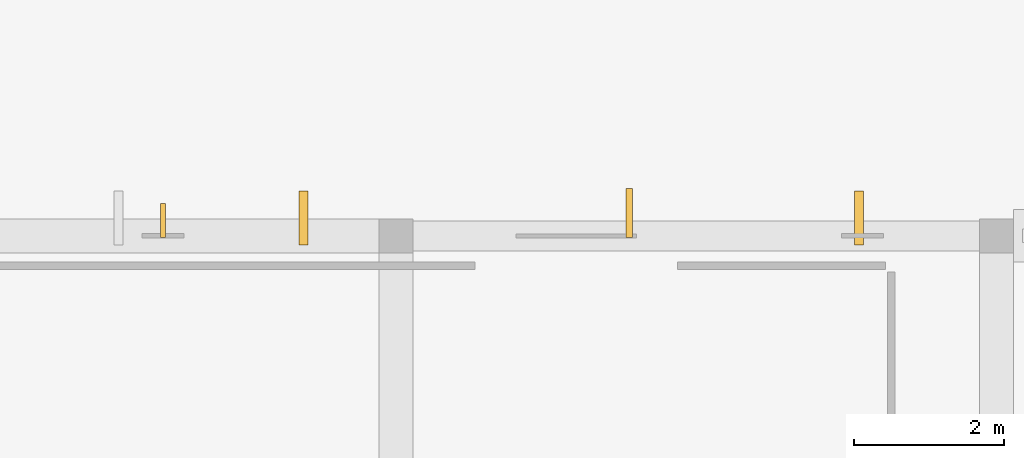
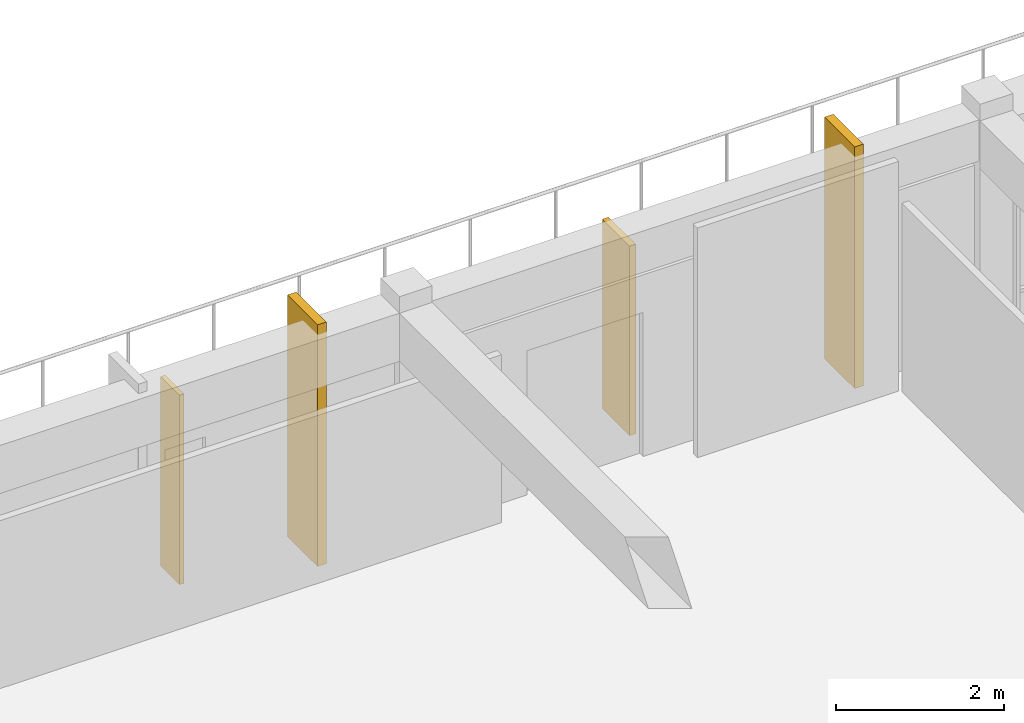
# One storey, part 68 of 77: 2 coverings, 2 shading devices.
"""IFC4 building model written with IfcOpenShell, lengths in metres."""

import ifcopenshell
import ifcopenshell.guid

model = None  # the IFC model being written
_history = None  # IfcOwnerHistory: only IFC2X3 demands one
_inside = {}  # id of a spatial element -> (the spatial element, [elements in it])
_under = {}  # id of a project, library or spatial element -> (it, [spatial elements below it])
_declared = {}  # id of a project -> (the project, [libraries it declares])
_typed = {}  # id of a type object -> (the type object, [elements of that type])
_made_of = {}  # id of a material, layer set ... -> (it, [elements and type objects made of it])


def new_model(schema):
    """Start an empty IFC model of exactly this schema.

    Asked for "IFC4X3", IfcOpenShell would pick the latest addendum, in which some entities
    have other attributes; the version numbers below select the first issue.
    IFC2X3 requires an IfcOwnerHistory on every rooted entity: one is made here for all.
    """
    global model, _history
    if schema == "IFC4X3":
        model = ifcopenshell.file(schema_version=(4, 3, 0, 0))
    else:
        model = ifcopenshell.file(schema=schema)
    _inside.clear()
    _under.clear()
    _declared.clear()
    _typed.clear()
    _made_of.clear()
    _history = None
    if model.schema == "IFC2X3":
        org = make("IfcOrganization", Name="unknown")
        user = make(
            "IfcPersonAndOrganization",
            ThePerson=make("IfcPerson", FamilyName="unknown"),
            TheOrganization=org,
        )
        app = make(
            "IfcApplication",
            ApplicationDeveloper=org,
            Version="unknown",
            ApplicationFullName="unknown",
            ApplicationIdentifier="unknown",
        )
        _history = make(
            "IfcOwnerHistory",
            OwningUser=user,
            OwningApplication=app,
            ChangeAction="ADDED",
            CreationDate=0,
        )
    return model


def make(cls, **values):
    """One entity of the class cls with the attributes given. An attribute that is None is left unset."""
    return model.create_entity(
        cls, **{name: value for name, value in values.items() if value is not None}
    )


def rooted(cls, **values):
    """An entity with a GlobalId (a new one), such as an element, a storey or a relation."""
    return make(cls, GlobalId=ifcopenshell.guid.new(), OwnerHistory=_history, **values)


def si_unit(unit_type, name, prefix=None):
    """IfcSIUnit, for example si_unit("LENGTHUNIT", "METRE", prefix="MILLI")."""
    return make("IfcSIUnit", UnitType=unit_type, Prefix=prefix, Name=name)


def assignment(units):
    """IfcUnitAssignment: the units of a project."""
    return None if units is None else make("IfcUnitAssignment", Units=units)


def point(xyz):
    """IfcCartesianPoint."""
    return None if xyz is None else make("IfcCartesianPoint", Coordinates=xyz)


def direction(xyz):
    """IfcDirection."""
    return None if xyz is None else make("IfcDirection", DirectionRatios=xyz)


def frame(location, z_axis=None, x_axis=None):
    """IfcAxis2Placement3D, a coordinate frame: its origin and axes. An axis left out is left unset."""
    return make(
        "IfcAxis2Placement3D",
        Location=point(location),
        Axis=direction(z_axis),
        RefDirection=direction(x_axis),
    )


def frame_2d(location, x_axis=None):
    """IfcAxis2Placement2D, a coordinate frame in the plane: its origin and x axis."""
    return make(
        "IfcAxis2Placement2D", Location=point(location), RefDirection=direction(x_axis)
    )


def origin():
    """The frame at (0, 0, 0) with its axes left unset."""
    return frame((0.0, 0.0, 0.0))


def origin_2d():
    """The frame at (0, 0) in the plane with its x axis left unset."""
    return frame_2d((0.0, 0.0))


def place(relative_to, where):
    """IfcLocalPlacement: puts the frame where relative to a parent placement (None: the world)."""
    return make(
        "IfcLocalPlacement", PlacementRelTo=relative_to, RelativePlacement=where
    )


def context(
    kind, dimensions, precision=None, world=None, true_north=None, identifier=None
):
    """IfcGeometricRepresentationContext, for example the 3D "Model" context."""
    return make(
        "IfcGeometricRepresentationContext",
        ContextIdentifier=identifier,
        ContextType=kind,
        CoordinateSpaceDimension=dimensions,
        Precision=precision,
        WorldCoordinateSystem=world,
        TrueNorth=true_north,
    )


def subcontext(parent, identifier, kind, view, scale=None):
    """IfcGeometricRepresentationSubContext, for example "Body" below "Model"."""
    return make(
        "IfcGeometricRepresentationSubContext",
        ContextIdentifier=identifier,
        ContextType=kind,
        ParentContext=parent,
        TargetScale=scale,
        TargetView=view,
    )


def project(units=None, contexts=None):
    """IfcProject with its units and contexts."""
    return rooted(
        "IfcProject",
        Name="project",
        RepresentationContexts=contexts,
        UnitsInContext=assignment(units),
    )


def spatial(cls, under=None, at=None, **own):
    """A site, building, storey or space (cls), placed at a placement, below another one or the project."""
    s = rooted(cls, ObjectPlacement=at, **own)
    if under is not None:
        _under.setdefault(under.id(), (under, []))[1].append(s)
    return s


def profile(cls, at=None, kind="AREA", **sizes):
    """A parametric profile (cls). Its sizes go by their IFC names, for example OverallWidth=200.0."""
    return make(cls, ProfileType=kind, Position=at, **sizes)


def rectangle(**sizes):
    """IfcRectangleProfileDef."""
    return profile("IfcRectangleProfileDef", **sizes)


def extrude(swept, where, along, depth):
    """IfcExtrudedAreaSolid: the profile swept, set in the frame where, extruded along a direction by depth."""
    return make(
        "IfcExtrudedAreaSolid",
        SweptArea=swept,
        Position=where,
        ExtrudedDirection=direction(along),
        Depth=depth,
    )


def shape(context_of_items, identifier, shape_type, items):
    """IfcShapeRepresentation: the items that make up one representation, for example the "Body"."""
    return make(
        "IfcShapeRepresentation",
        ContextOfItems=context_of_items,
        RepresentationIdentifier=identifier,
        RepresentationType=shape_type,
        Items=items,
    )


def material(Name=None, Category=None):
    """IfcMaterial."""
    return make("IfcMaterial", Name=Name, Category=Category)


def layer(
    of_material, thickness, ventilated=None, Name=None, Category=None, Priority=None
):
    """IfcMaterialLayer: one layer of a wall or slab, of a material (None: an air gap)."""
    return make(
        "IfcMaterialLayer",
        Material=of_material,
        LayerThickness=thickness,
        IsVentilated=ventilated,
        Name=Name,
        Category=Category,
        Priority=Priority,
    )


def layer_set(layers, Name=None):
    """IfcMaterialLayerSet."""
    return make("IfcMaterialLayerSet", MaterialLayers=layers, LayerSetName=Name)


def made_of(thing, what):
    """Note that an element or type object is made of a material, layer set ...; save() writes the relation."""
    if what is not None:
        _made_of.setdefault(what.id(), (what, []))[1].append(thing)
    return thing


def type_object(cls, material=None, **own):
    """A type object (cls), such as IfcWallType, which elements share."""
    return made_of(rooted(cls, **own), material)


def element(
    cls,
    number,
    at=None,
    inside=None,
    cuts=None,
    type_object=None,
    material=None,
    context=None,
    identifier="Body",
    shape_type=None,
    held_by="IfcProductDefinitionShape",
    body=None,
    shapes=None,
    **own,
):
    """One element of the class cls, such as IfcWall. Its Tag is "e" and its number.

    at: its placement. inside: the storey or other place that contains it. cuts: it is an
    opening in that element (IfcRelVoidsElement). A single representation is given by context,
    identifier, shape_type and body (its items); several are given by shapes. held_by: the class
    of the entity that holds the representations. save() writes the other relations.
    """
    e = rooted(cls, Tag="e%d" % number, ObjectPlacement=at, **own)
    if body is not None:
        shapes = [shape(context, identifier, shape_type, body)]
    if shapes is not None:
        e.Representation = make(held_by, Representations=shapes)
    if inside is not None:
        _inside.setdefault(inside.id(), (inside, []))[1].append(e)
    if cuts is not None:
        rooted(
            "IfcRelVoidsElement", RelatingBuildingElement=cuts, RelatedOpeningElement=e
        )
    if type_object is not None:
        _typed.setdefault(type_object.id(), (type_object, []))[1].append(e)
    return made_of(e, material)


def aggregate(whole, parts):
    """IfcRelAggregates: a whole, such as a stair, and the parts it consists of."""
    return rooted("IfcRelAggregates", RelatingObject=whole, RelatedObjects=parts)


def save(model, path):
    """Write the relations noted so far, then the file.

    IfcRelAggregates (storeys below a building ...), IfcRelContainedInSpatialStructure (elements
    in a storey), IfcRelDefinesByType, IfcRelAssociatesMaterial and IfcRelDeclares: one each for
    every whole, place, type object, material and project.
    """
    for whole, parts in _under.values():
        aggregate(whole, parts)
    for where, things in _inside.values():
        rooted(
            "IfcRelContainedInSpatialStructure",
            RelatedElements=things,
            RelatingStructure=where,
        )
    for kind, things in _typed.values():
        rooted("IfcRelDefinesByType", RelatedObjects=things, RelatingType=kind)
    for what, things in _made_of.values():
        rooted("IfcRelAssociatesMaterial", RelatedObjects=things, RelatingMaterial=what)
    for by, libraries in _declared.values():
        rooted("IfcRelDeclares", RelatingContext=by, RelatedDefinitions=libraries)
    model.write(path)


model = new_model("IFC4")

# Units and contexts
model_context = context("Model", 3, precision=1e-05, world=origin(), true_north=direction((0.0, 1.0)))
body_context = subcontext(model_context, "Body", "Model", "MODEL_VIEW")
ifc_project = project(units=[si_unit("LENGTHUNIT", "METRE"), si_unit("AREAUNIT", "SQUARE_METRE"), si_unit("VOLUMEUNIT", "CUBIC_METRE"), si_unit("PLANEANGLEUNIT", "RADIAN"), si_unit("MASSUNIT", "GRAM", prefix="KILO")], contexts=[model_context])

# Site, building, storey
site_placement = place(None, origin())
site = spatial("IfcSite", under=ifc_project, at=site_placement, CompositionType="ELEMENT")
building_placement = place(site_placement, origin())
building = spatial("IfcBuilding", under=site, at=building_placement, Name="Larkveld Mobility Hub", CompositionType="ELEMENT")
storey_placement = place(building_placement, frame((0.0, 0.0, 12.0)))
storey = spatial("IfcBuildingStorey", under=building, at=storey_placement, Name="L03", CompositionType="ELEMENT", Elevation=12.0)

# Coverings
ifc_material = material(Name="Precast concrete C50/60", Category="concrete")
ifc_layer_1 = layer(ifc_material, 0.1201171875, Name="Precast concrete C50/60", Category="concrete")
ifc_layer_set_1 = layer_set([ifc_layer_1], Name="Precast concrete C50/60")
covering_type = type_object("IfcCoveringType", Name="COV-QSL-V01", PredefinedType="CLADDING", material=ifc_layer_set_1)
for number, where, z_axis, x_axis, name in (
    (1, (54.1669921875, 122.239990234375, -0.02001953125), (0.0, 0.0, 1.0), (-1.0, 0.0, 0.0), "Precast Quebra-Sol Vertical Fin QSV-162"),
    (2, (46.76708984375, 122.239990234375, -0.02001953125), (0.0, 0.0, 1.0), (-1.0, 0.0, 0.0), "Precast Quebra-Sol Vertical Fin QSV-163"),
):
    element("IfcCovering", number, at=place(storey_placement, frame(where, z_axis=z_axis, x_axis=x_axis)), inside=storey, type_object=covering_type, Name=name, PredefinedType="CLADDING", context=body_context, shape_type="SweptSolid", body=[
        extrude(rectangle(XDim=0.1201171875, YDim=0.719970703125, at=origin_2d()), origin(), (0.0, 0.0, 1.0), 3.52001953125),
    ])

# Shading devices
ifc_layer_2 = layer(ifc_material, 0.06494140625, Name="Precast concrete C50/60", Category="concrete")
ifc_layer_set_2 = layer_set([ifc_layer_2], Name="Precast concrete C50/60")
shading_device_type_1 = type_object("IfcShadingDeviceType", Name="SHD-JAL-01", PredefinedType="JALOUSIE", material=ifc_layer_set_2)
shading_device_1_placement = place(storey_placement, frame((44.89404296875, 122.205078125, 0.2998046875), z_axis=(0.0, 0.0, 1.0), x_axis=(1.0, 0.0, 0.0)))
element("IfcShadingDevice", 3, at=shading_device_1_placement, inside=storey, type_object=shading_device_type_1, Name="North Facade Sunshade Fin NF-060", PredefinedType="JALOUSIE", context=body_context, shape_type="SweptSolid", body=[
    extrude(rectangle(XDim=0.06494140625, YDim=0.449951171875, at=origin_2d()), origin(), (0.0, 0.0, 1.0), 2.760009765625),
])
ifc_layer_3 = layer(ifc_material, 0.0849609375, Name="Precast concrete C50/60", Category="concrete")
ifc_layer_set_3 = layer_set([ifc_layer_3], Name="Precast concrete C50/60")
shading_device_type_2 = type_object("IfcShadingDeviceType", Name="SHD-JAL-03", PredefinedType="JALOUSIE", material=ifc_layer_set_3)
shading_device_2_placement = place(storey_placement, frame((51.10595703125, 122.304931640625, 0.2998046875), z_axis=(0.0, 0.0, 1.0), x_axis=(1.0, 0.0, 0.0)))
element("IfcShadingDevice", 4, at=shading_device_2_placement, inside=storey, type_object=shading_device_type_2, Name="North Facade Sunshade Fin NF-059", PredefinedType="JALOUSIE", context=body_context, shape_type="SweptSolid", body=[
    extrude(rectangle(XDim=0.0849609375, YDim=0.64990234375, at=origin_2d()), origin(), (0.0, 0.0, 1.0), 2.760009765625),
])

save(model, "model.ifc")
